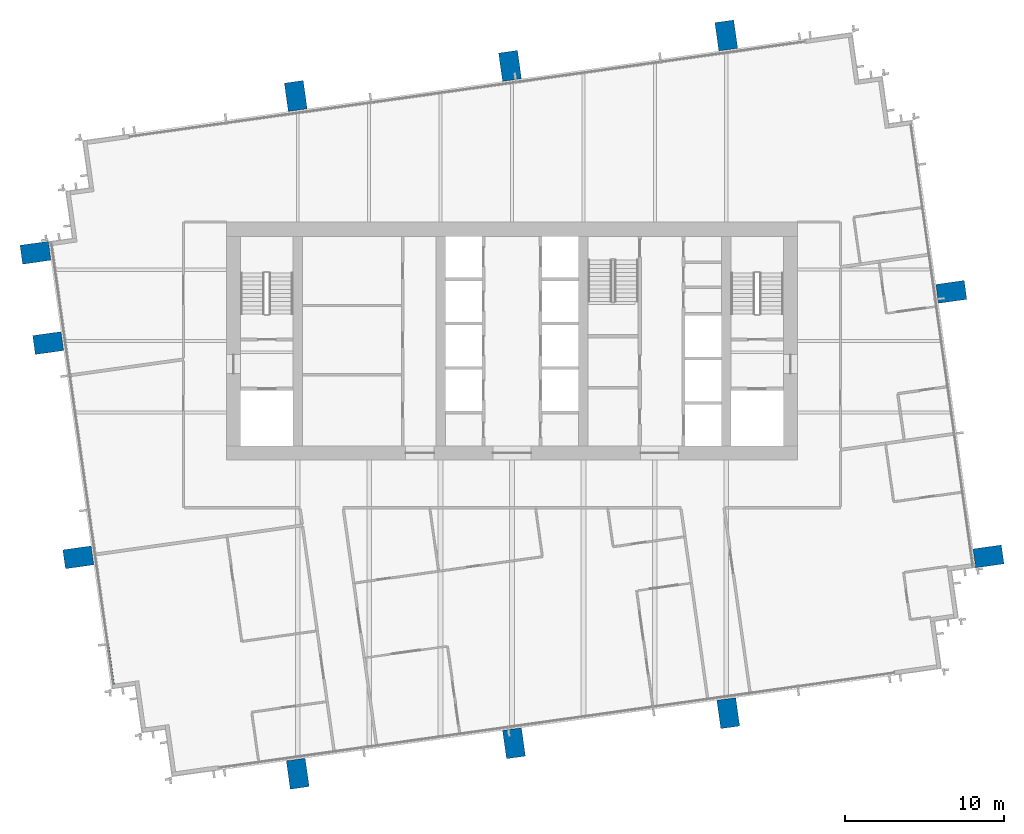
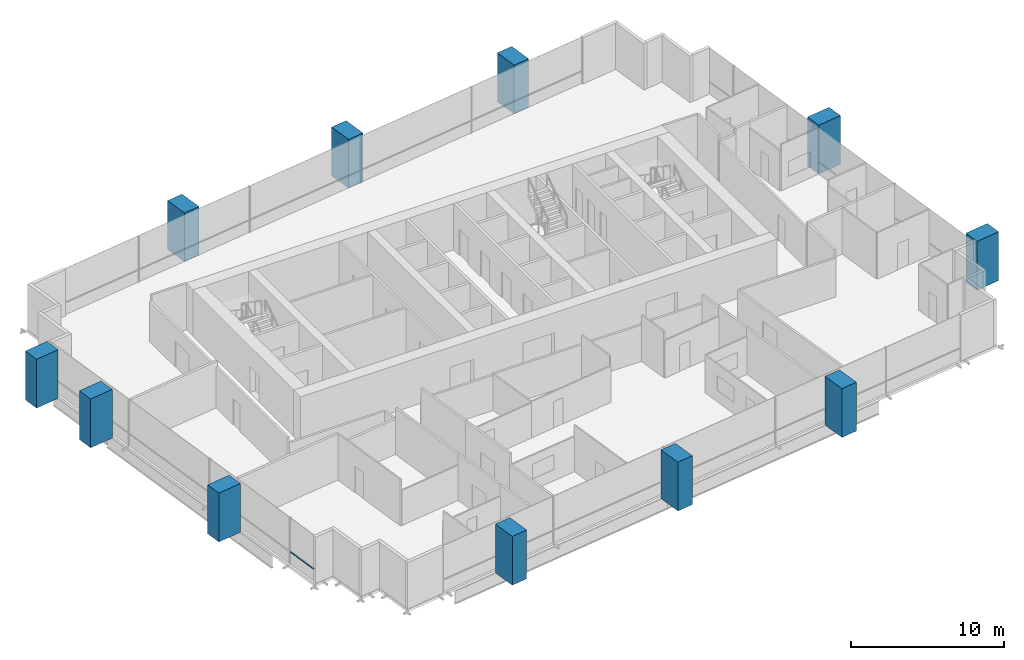
# One storey, part 1 of 14: 11 columns, 1 member, 1 element without a shape of its own.
"""IFC4 building model written with IfcOpenShell, lengths in metres."""

from ifc_helpers import new_model, si_unit, direction, frame, origin, origin_2d, place, context, subcontext, project, spatial, rectangle, extrude, material, material_profile, profile_set, type_object, element, aggregate, save


model = new_model("IFC4")

# Units and contexts
model_context = context("Model", 3, precision=1e-05, world=origin(), true_north=direction((0.0, 1.0)))
body_context = subcontext(model_context, "Body", "Model", "MODEL_VIEW")
ifc_project = project(units=[si_unit("LENGTHUNIT", "METRE"), si_unit("AREAUNIT", "SQUARE_METRE"), si_unit("VOLUMEUNIT", "CUBIC_METRE"), si_unit("PLANEANGLEUNIT", "RADIAN"), si_unit("MASSUNIT", "GRAM", prefix="KILO")], contexts=[model_context])

# Site, building, storey
site_placement = place(None, origin())
site = spatial("IfcSite", under=ifc_project, at=site_placement, CompositionType="ELEMENT")
building_placement = place(site_placement, origin())
building = spatial("IfcBuilding", under=site, at=building_placement, Name="Rattan Terrace Tower", CompositionType="ELEMENT")
storey_placement = place(building_placement, frame((0.0, 0.0, 184.10009765625)))
storey = spatial("IfcBuildingStorey", under=building, at=storey_placement, Name="L42", CompositionType="ELEMENT", Elevation=184.10009765625)

# Columns
ifc_material_1 = material(Name="Concrete C50/60", Category="concrete")
ifc_material_profile_1 = material_profile(ifc_material_1, rectangle(XDim=1.199951171875, YDim=1.800048828125, at=origin_2d()), Name="CFT 1800x1200")
ifc_profile_set_1 = profile_set([ifc_material_profile_1], Name="Concrete C50/60")
column_type = type_object("IfcColumnType", Name="Frame exoskeleton column CFT 1800x1200", PredefinedType="COLUMN", material=ifc_profile_set_1)
for number, where, z_axis, x_axis, name in (
    (1, (-13.5, -27.256103515625, -0.2001953125), (0.0, 0.0, 1.0), (0.99027049762, 0.139155817501, 0.0), "exo-L42-001"),
    (2, (0.125, -25.340087890625, -0.2001953125), (0.0, 0.0, 1.0), (0.99027049762, 0.139155817501, 0.0), "exo-L42-002"),
    (3, (13.625, -23.443115234375, -0.2001953125), (0.0, 0.0, 1.0), (0.99027049762, 0.139155817501, 0.0), "exo-L42-003"),
    (4, (-27.325927734375, -13.625, -0.2001953125), (0.0, 0.0, 1.0), (-0.139190384377, 0.990265639562, 0.0), "exo-L42-004"),
    (5, (30.02392578125, -13.56494140625, -0.2001953125), (0.0, 0.0, 1.0), (-0.139190384377, 0.990265639562, 0.0), "exo-L42-005"),
    (6, (-29.22412109375, -0.125, -0.2001953125), (0.0, 0.0, 1.0), (-0.139190384377, 0.990265639562, 0.0), "exo-L42-006"),
    (7, (27.680908203125, 3.10009765625, -0.2001953125), (0.0, 0.0, 1.0), (-0.139190384377, 0.990265639562, 0.0), "exo-L42-007"),
    (8, (-30.02392578125, 5.56494140625, -0.2001953125), (0.0, 0.0, 1.0), (-0.139190384377, 0.990265639562, 0.0), "exo-L42-008"),
    (9, (-13.625, 15.443115234375, -0.2001953125), (0.0, 0.0, 1.0), (0.99027049762, 0.139155817501, 0.0), "exo-L42-009"),
    (10, (-0.125, 17.340087890625, -0.2001953125), (0.0, 0.0, 1.0), (0.99027049762, 0.139155817501, 0.0), "exo-L42-010"),
    (11, (13.5, 19.256103515625, -0.2001953125), (0.0, 0.0, 1.0), (0.99027049762, 0.139155817501, 0.0), "exo-L42-011"),
):
    element("IfcColumn", number, at=place(storey_placement, frame(where, z_axis=z_axis, x_axis=x_axis)), inside=storey, type_object=column_type, Name=name, PredefinedType="COLUMN", context=body_context, shape_type="SweptSolid", body=[
        extrude(rectangle(XDim=1.199951171875, YDim=1.800048828125, at=origin_2d()), origin(), (0.0, 0.0, 1.0), 3.900146484375),
    ])

# Curtain wall, member
ifc_material_2 = material(Name="Aluminium and glass", Category="aluminium")
curtain_wall_type = type_object("IfcCurtainWallType", Name="Facade Unitised Curtain Wall", PredefinedType="NOTDEFINED", material=ifc_material_2)
curtain_wall_placement = place(storey_placement, origin())
curtain_wall = element("IfcCurtainWall", 12, at=curtain_wall_placement, inside=storey, type_object=curtain_wall_type, Name="Curtain wall L42-3", PredefinedType="NOTDEFINED")
ifc_material_3 = material(Name="Aluminium", Category="aluminium")
ifc_material_profile_2 = material_profile(ifc_material_3, rectangle(XDim=0.1201171875, YDim=0.06005859375, at=origin_2d()), Name="Aluminium 120x60")
ifc_profile_set_2 = profile_set([ifc_material_profile_2], Name="Aluminium")
member_type = type_object("IfcMemberType", Name="Facade CW Transom 120x60", PredefinedType="USERDEFINED", material=ifc_profile_set_2)
member_placement = place(storey_placement, frame((-25.47314453125, -19.122314453125, 1.0), z_axis=(0.139106713562, -0.990277396613, 0.0), x_axis=(0.990277396613, 0.139106713562, 0.0)))
member = element("IfcMember", 13, at=member_placement, type_object=member_type, Name="Transom cwl-L42-003.4", ObjectType="TRANSOM", PredefinedType="USERDEFINED", context=body_context, shape_type="SweptSolid", body=[
    extrude(rectangle(XDim=0.1201171875, YDim=0.06005859375, at=origin_2d()), origin(), (0.0, 0.0, 1.0), 2.525634765625),
])
aggregate(curtain_wall, [member])

save(model, "model.ifc")
